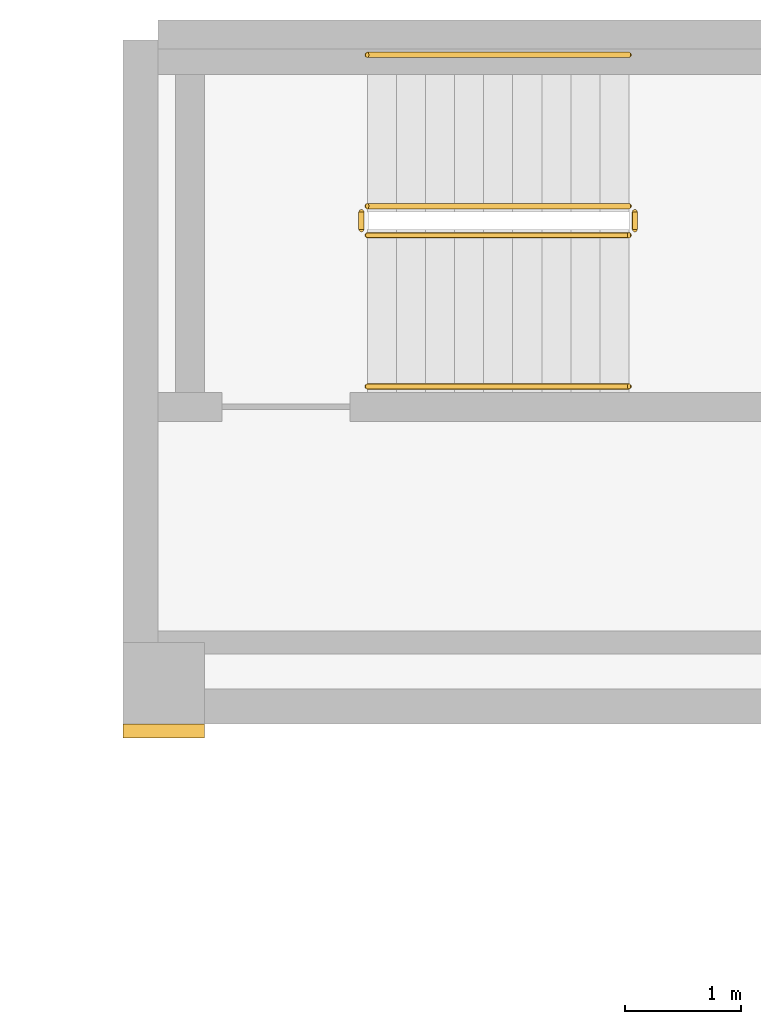
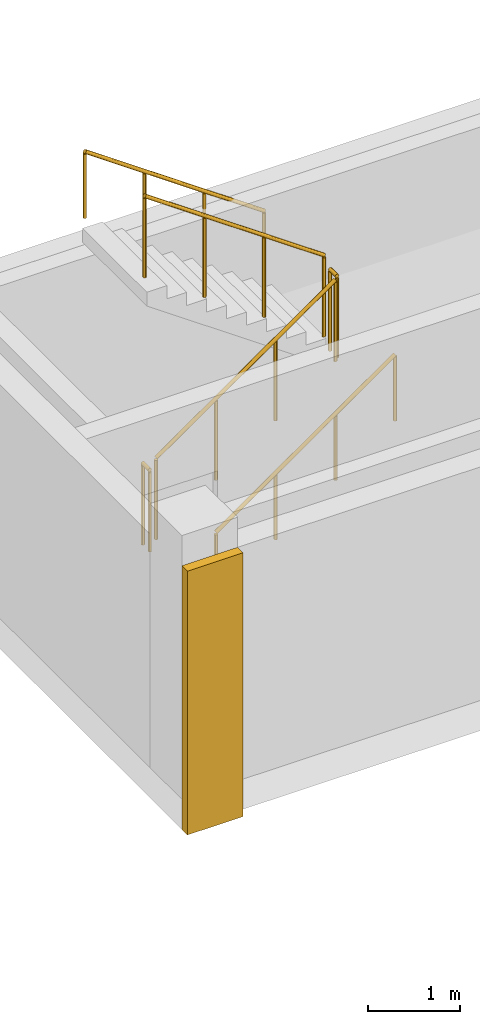
# One storey, part 9 of 9: 6 railings, 1 covering.
"""IFC4 building model written with IfcOpenShell, lengths in metres."""

from ifc_helpers import new_model, si_unit, direction, frame, origin, origin_2d, place, context, subcontext, project, spatial, rectangle, circle, extrude, source, transform, mapped, material, type_object, element, save


model = new_model("IFC4")

# Units and contexts
model_context = context("Model", 3, precision=1e-05, world=origin(), true_north=direction((0.0, 1.0)))
body_context = subcontext(model_context, "Body", "Model", "MODEL_VIEW")
ifc_project = project(units=[si_unit("LENGTHUNIT", "METRE"), si_unit("AREAUNIT", "SQUARE_METRE"), si_unit("VOLUMEUNIT", "CUBIC_METRE"), si_unit("PLANEANGLEUNIT", "RADIAN"), si_unit("MASSUNIT", "GRAM", prefix="KILO")], contexts=[model_context])

# Site, building, storey
site_placement = place(None, origin())
site = spatial("IfcSite", under=ifc_project, at=site_placement, CompositionType="ELEMENT")
building_placement = place(site_placement, origin())
building = spatial("IfcBuilding", under=site, at=building_placement, Name="Aurelian Terraces", CompositionType="ELEMENT")
storey_placement = place(building_placement, frame((0.0, 0.0, 316.0)))
storey = spatial("IfcBuildingStorey", under=building, at=storey_placement, Name="L73", CompositionType="ELEMENT", Elevation=316.0)

# Covering
ifc_material_1 = material(Name="Terracotta rainscreen cladding relief", Category="masonry")
covering_type = type_object("IfcCoveringType", Name="BAGUETTE-TC", PredefinedType="CLADDING", material=ifc_material_1)
shared_shape_1 = source(origin(), body_context, "Body", "SweptSolid", [
    extrude(rectangle(XDim=0.7, YDim=0.12, at=origin_2d()), origin(), (0.0, 0.0, 1.0), 3.5),
])
covering_placement = place(storey_placement, frame((10.85, 37.74, -0.4), z_axis=(0.0, 0.0, 1.0), x_axis=(1.0, 0.0, 0.0)))
element("IfcCovering", 1, at=covering_placement, inside=storey, type_object=covering_type, Name="BAGUETTE pier L73 6", PredefinedType="CLADDING", context=body_context, shape_type="MappedRepresentation", body=[
    mapped(shared_shape_1, transform((0.0, 0.0, 0.0), scale=1.0)),
])

# Railings
ifc_material_2 = material(Name="Stainless steel", Category="steel")
railing_type_1 = type_object("IfcRailingType", Name="Stair guard 1100", PredefinedType="GUARDRAIL", material=ifc_material_2)
shared_shape_2 = source(origin(), body_context, "Body", "SweptSolid", [
    extrude(circle(Radius=0.024, at=origin_2d()), frame((0.0, 0.0, 1.076), z_axis=(0.0, 1.0, 0.0), x_axis=(-1.0, 0.0, 0.0)), (0.0, 0.0, 1.0), 0.15),
    extrude(circle(Radius=0.021, at=origin_2d()), origin(), (0.0, 0.0, 1.0), 1.052),
    extrude(circle(Radius=0.021, at=origin_2d()), frame((0.0, 0.15, 0.0)), (0.0, 0.0, 1.0), 1.052),
])
for number, where, name in (
    (2, (14.9, 42.05, 1.75), "L73 S3U stair guard 2"),
    (3, (12.55, 42.05, 0.0), "L73 S3U stair guard 4"),
):
    element("IfcRailing", number, at=place(storey_placement, frame(where)), inside=storey, type_object=railing_type_1, Name=name, PredefinedType="GUARDRAIL", context=body_context, shape_type="MappedRepresentation", body=[
        mapped(shared_shape_2, transform((0.0, 0.0, 0.0), scale=1.0)),
    ])
shared_shape_3 = source(origin(), body_context, "Body", "SweptSolid", [
    extrude(circle(Radius=0.024, at=origin_2d()), frame((0.0, 0.0, 1.076), z_axis=(0.819231920519, 0.0, 0.573462344363), x_axis=(0.0, 1.0, 0.0)), (0.0, 0.0, 1.0), 2.7465),
    extrude(circle(Radius=0.021, at=origin_2d()), origin(), (0.0, 0.0, 1.0), 1.052),
    extrude(circle(Radius=0.021, at=origin_2d()), frame((0.75, 0.0, 0.525)), (0.0, 0.0, 1.0), 1.052),
    extrude(circle(Radius=0.021, at=origin_2d()), frame((1.5, 0.0, 1.05)), (0.0, 0.0, 1.0), 1.052),
    extrude(circle(Radius=0.021, at=origin_2d()), frame((2.25, 0.0, 1.575)), (0.0, 0.0, 1.0), 1.052),
])
railing_1_placement = place(storey_placement, frame((12.6, 42.0, 0.175)))
element("IfcRailing", 4, at=railing_1_placement, inside=storey, type_object=railing_type_1, Name="L73 S3U stair guard 1", PredefinedType="GUARDRAIL", context=body_context, shape_type="MappedRepresentation", body=[
    mapped(shared_shape_3, transform((0.0, 0.0, 0.0), scale=1.0)),
])
shared_shape_4 = source(origin(), body_context, "Body", "SweptSolid", [
    extrude(circle(Radius=0.024, at=origin_2d()), frame((0.0, 0.0, 1.076), z_axis=(-0.819231920519, 0.0, 0.573462344363), x_axis=(0.0, -1.0, 0.0)), (0.0, 0.0, 1.0), 2.7465),
    extrude(circle(Radius=0.021, at=origin_2d()), origin(), (0.0, 0.0, 1.0), 1.052),
    extrude(circle(Radius=0.021, at=origin_2d()), frame((-0.75, 0.0, 0.525)), (0.0, 0.0, 1.0), 1.052),
    extrude(circle(Radius=0.021, at=origin_2d()), frame((-1.5, 0.0, 1.05)), (0.0, 0.0, 1.0), 1.052),
    extrude(circle(Radius=0.021, at=origin_2d()), frame((-2.25, 0.0, 1.575)), (0.0, 0.0, 1.0), 1.052),
])
railing_2_placement = place(storey_placement, frame((14.85, 42.25, 1.925)))
element("IfcRailing", 5, at=railing_2_placement, inside=storey, type_object=railing_type_1, Name="L73 S3U stair guard 3", PredefinedType="GUARDRAIL", context=body_context, shape_type="MappedRepresentation", body=[
    mapped(shared_shape_4, transform((0.0, 0.0, 0.0), scale=1.0)),
])
railing_type_2 = type_object("IfcRailingType", Name="Stair handrail", PredefinedType="HANDRAIL", material=ifc_material_2)
shared_shape_5 = source(origin(), body_context, "Body", "SweptSolid", [
    extrude(circle(Radius=0.024, at=origin_2d()), frame((0.0, 0.0, 0.876), z_axis=(0.819231920519, 0.0, 0.573462344363), x_axis=(0.0, 1.0, 0.0)), (0.0, 0.0, 1.0), 2.7465),
    extrude(circle(Radius=0.021, at=origin_2d()), origin(), (0.0, 0.0, 1.0), 0.852),
    extrude(circle(Radius=0.021, at=origin_2d()), frame((0.75, 0.0, 0.525)), (0.0, 0.0, 1.0), 0.852),
    extrude(circle(Radius=0.021, at=origin_2d()), frame((1.5, 0.0, 1.05)), (0.0, 0.0, 1.0), 0.852),
    extrude(circle(Radius=0.021, at=origin_2d()), frame((2.25, 0.0, 1.575)), (0.0, 0.0, 1.0), 0.852),
])
railing_3_placement = place(storey_placement, frame((12.6, 40.7, 0.175)))
element("IfcRailing", 6, at=railing_3_placement, inside=storey, type_object=railing_type_2, Name="L73 S3U stair handrail 1", PredefinedType="HANDRAIL", context=body_context, shape_type="MappedRepresentation", body=[
    mapped(shared_shape_5, transform((0.0, 0.0, 0.0), scale=1.0)),
])
shared_shape_6 = source(origin(), body_context, "Body", "SweptSolid", [
    extrude(circle(Radius=0.024, at=origin_2d()), frame((0.0, 0.0, 0.876), z_axis=(-0.819231920519, 0.0, 0.573462344363), x_axis=(0.0, -1.0, 0.0)), (0.0, 0.0, 1.0), 2.7465),
    extrude(circle(Radius=0.021, at=origin_2d()), origin(), (0.0, 0.0, 1.0), 0.852),
    extrude(circle(Radius=0.021, at=origin_2d()), frame((-0.75, 0.0, 0.525)), (0.0, 0.0, 1.0), 0.852),
    extrude(circle(Radius=0.021, at=origin_2d()), frame((-1.5, 0.0, 1.05)), (0.0, 0.0, 1.0), 0.852),
    extrude(circle(Radius=0.021, at=origin_2d()), frame((-2.25, 0.0, 1.575)), (0.0, 0.0, 1.0), 0.852),
])
railing_4_placement = place(storey_placement, frame((14.85, 43.55, 1.925)))
element("IfcRailing", 7, at=railing_4_placement, inside=storey, type_object=railing_type_2, Name="L73 S3U stair handrail 2", PredefinedType="HANDRAIL", context=body_context, shape_type="MappedRepresentation", body=[
    mapped(shared_shape_6, transform((0.0, 0.0, 0.0), scale=1.0)),
])

save(model, "model.ifc")
